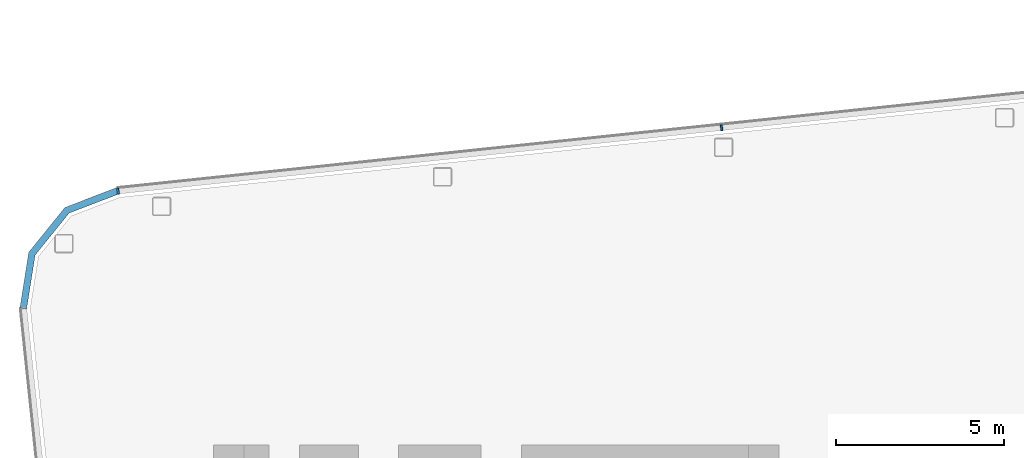
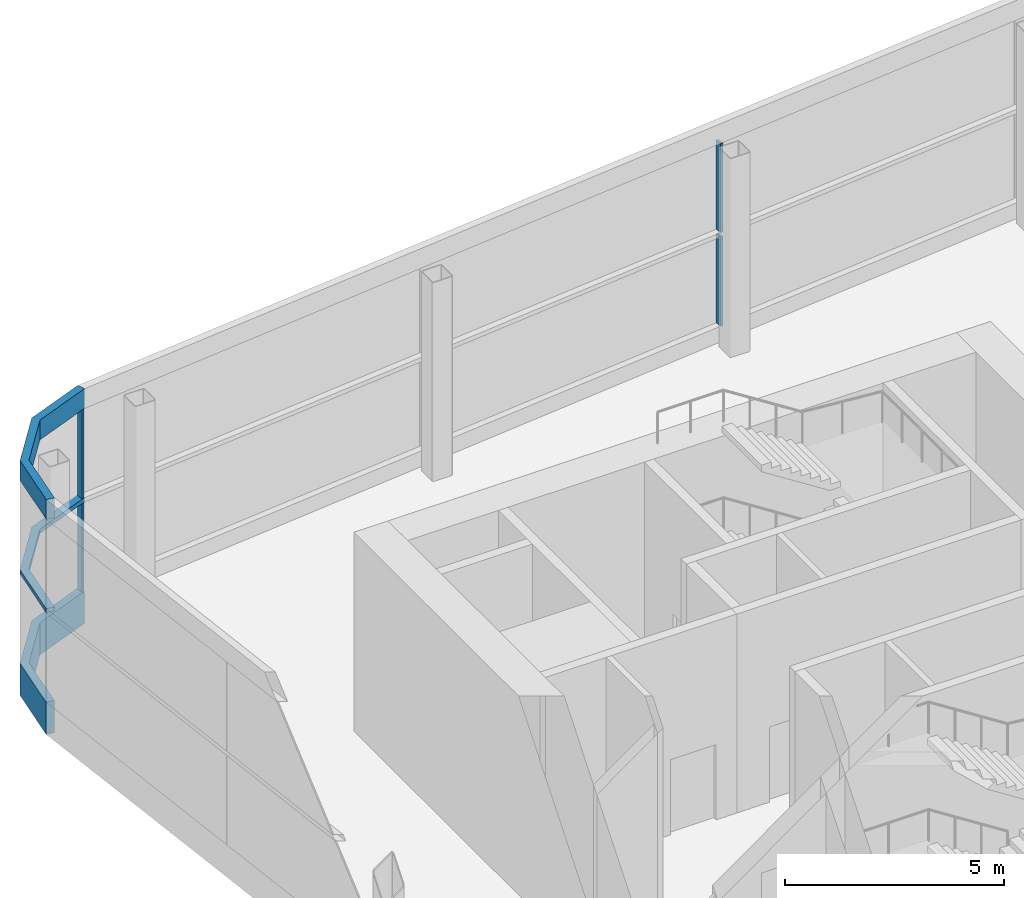
# One storey, part 8 of 35: 7 members, 2 elements without a shape of their own.
"""IFC4 building model written with IfcOpenShell, lengths in metres."""

from ifc_helpers import new_model, si_unit, direction, frame, origin, origin_2d, place, context, subcontext, project, spatial, polyline, rectangle, outline, extrude, material, layer, layer_set, material_profile, profile_set, type_object, element, aggregate, save


model = new_model("IFC4")

# Units and contexts
model_context = context("Model", 3, precision=1e-05, world=origin(), true_north=direction((0.0, 1.0)))
body_context = subcontext(model_context, "Body", "Model", "MODEL_VIEW")
ifc_project = project(units=[si_unit("LENGTHUNIT", "METRE"), si_unit("AREAUNIT", "SQUARE_METRE"), si_unit("VOLUMEUNIT", "CUBIC_METRE"), si_unit("PLANEANGLEUNIT", "RADIAN"), si_unit("MASSUNIT", "GRAM", prefix="KILO")], contexts=[model_context])

# Site, building, storey
site_placement = place(None, origin())
site = spatial("IfcSite", under=ifc_project, at=site_placement, CompositionType="ELEMENT")
building_placement = place(site_placement, origin())
building = spatial("IfcBuilding", under=site, at=building_placement, Name="Hakoniwa Tower and Hamabe Station Hall", CompositionType="ELEMENT")
storey_placement = place(building_placement, frame((0.0, 0.0, 270.60009765625)))
storey = spatial("IfcBuildingStorey", under=building, at=storey_placement, Name="L76", CompositionType="ELEMENT", Elevation=270.60009765625)

# Curtain wall, members
ifc_material_1 = material(Name="Dark low-e laminated glass", Category="glass")
ifc_layer = layer(ifc_material_1, 0.199951171875)
ifc_layer_set = layer_set([ifc_layer], Name="CW-1 UNITISED GUEST")
curtain_wall_type = type_object("IfcCurtainWallType", Name="CW-1 UNITISED GUEST", PredefinedType="NOTDEFINED", material=ifc_layer_set)
curtain_wall_1_placement = place(storey_placement, origin())
curtain_wall_1 = element("IfcCurtainWall", 1, at=curtain_wall_1_placement, inside=storey, type_object=curtain_wall_type, Name="CW-1 curtain wall", PredefinedType="NOTDEFINED")
ifc_material_2 = material(Name="Aluminium 6063-T5 black anodised", Category="aluminium")
ifc_material_profile_1 = material_profile(ifc_material_2, rectangle(XDim=0.199951171875, YDim=0.550048828125, at=origin_2d()), Name="CW HEAD BAND 550X200")
ifc_profile_set_1 = profile_set([ifc_material_profile_1], Name="Aluminium 6063-T5 black anodised")
member_type_1 = type_object("IfcMemberType", Name="CW HEAD BAND 550X200", PredefinedType="USERDEFINED", material=ifc_profile_set_1)
member_1_placement = place(storey_placement, frame((0.0, 0.0, 5.449951171875)))
member_1 = element("IfcMember", 2, at=member_1_placement, type_object=member_type_1, Name="CW-1 transom", ObjectType="TRANSOM", PredefinedType="USERDEFINED", context=body_context, shape_type="SweptSolid", body=[
    extrude(outline(polyline([(-36.45703125, 16.0634765625), (-38.0185546875, 15.464111328125), (-39.09716796875, 14.13232421875), (-39.35888671875, 12.47998046875), (-39.161376953125, 12.44873046875), (-38.907958984375, 14.048095703125), (-37.89697265625, 15.296630859375), (-36.38525390625, 15.876708984375), (-36.45703125, 16.0634765625)])), origin(), (0.0, 0.0, 1.0), 0.550048828125),
])
ifc_material_3 = material(Name="Aluminium 6063-T5 black anodised", Category="aluminium")
ifc_material_profile_2 = material_profile(ifc_material_3, rectangle(XDim=0.199951171875, YDim=0.1201171875, at=origin_2d()), Name="CW MID TRANSOM 120X200")
ifc_profile_set_2 = profile_set([ifc_material_profile_2], Name="Aluminium 6063-T5 black anodised")
member_type_2 = type_object("IfcMemberType", Name="CW MID TRANSOM 120X200", PredefinedType="USERDEFINED", material=ifc_profile_set_2)
member_2_placement = place(storey_placement, frame((0.0, 0.0, 2.83984375)))
member_2 = element("IfcMember", 3, at=member_2_placement, type_object=member_type_2, Name="CW-1 transom", ObjectType="TRANSOM", PredefinedType="USERDEFINED", context=body_context, shape_type="SweptSolid", body=[
    extrude(outline(polyline([(-36.45703125, 16.0634765625), (-38.0185546875, 15.464111328125), (-39.09716796875, 14.13232421875), (-39.35888671875, 12.47998046875), (-39.161376953125, 12.44873046875), (-38.907958984375, 14.048095703125), (-37.89697265625, 15.296630859375), (-36.38525390625, 15.876708984375), (-36.45703125, 16.0634765625)])), origin(), (0.0, 0.0, 1.0), 0.1201171875),
])
ifc_material_4 = material(Name="Aluminium 6063-T5 black anodised", Category="aluminium")
ifc_material_profile_3 = material_profile(ifc_material_4, rectangle(XDim=0.199951171875, YDim=0.89990234375, at=origin_2d()), Name="CW SLAB-EDGE BAND 900X200")
ifc_profile_set_3 = profile_set([ifc_material_profile_3], Name="Aluminium 6063-T5 black anodised")
member_type_3 = type_object("IfcMemberType", Name="CW SLAB-EDGE BAND 900X200", PredefinedType="USERDEFINED", material=ifc_profile_set_3)
member_3_placement = place(storey_placement, frame((0.0, 0.0, -0.550048828125)))
member_3 = element("IfcMember", 4, at=member_3_placement, type_object=member_type_3, Name="CW-1 transom", ObjectType="TRANSOM", PredefinedType="USERDEFINED", context=body_context, shape_type="SweptSolid", body=[
    extrude(outline(polyline([(-36.45703125, 16.0634765625), (-38.0185546875, 15.464111328125), (-39.09716796875, 14.13232421875), (-39.35888671875, 12.47998046875), (-39.161376953125, 12.44873046875), (-38.907958984375, 14.048095703125), (-37.89697265625, 15.296630859375), (-36.38525390625, 15.876708984375), (-36.45703125, 16.0634765625)])), origin(), (0.0, 0.0, 1.0), 0.89990234375),
])
aggregate(curtain_wall_1, [member_3, member_2, member_1])

curtain_wall_2_placement = place(storey_placement, origin())
curtain_wall_2 = element("IfcCurtainWall", 5, at=curtain_wall_2_placement, inside=storey, type_object=curtain_wall_type, Name="CW-1 curtain wall", PredefinedType="NOTDEFINED")
ifc_material_5 = material(Name="Aluminium 6063-T5 black anodised", Category="aluminium")
ifc_material_profile_4 = material_profile(ifc_material_5, rectangle(XDim=0.06005859375, YDim=0.179931640625, at=origin_2d()), Name="CW-1 MULLION 60X180")
ifc_profile_set_4 = profile_set([ifc_material_profile_4], Name="Aluminium 6063-T5 black anodised")
member_type_4 = type_object("IfcMemberType", Name="CW-1 MULLION 60X180", PredefinedType="MULLION", material=ifc_profile_set_4)
member_4_placement = place(storey_placement, frame((-18.50390625, 17.831787109375, 0.349853515625), z_axis=(0.0, 0.0, 1.0), x_axis=(-0.994521895272, -0.104528464188, 0.0)))
member_4 = element("IfcMember", 6, at=member_4_placement, type_object=member_type_4, Name="CW-1 mullion", PredefinedType="MULLION", context=body_context, shape_type="SweptSolid", body=[
    extrude(rectangle(XDim=0.06005859375, YDim=0.179931640625, at=origin_2d()), origin(), (0.0, 0.0, 1.0), 2.489990234375),
])
member_5_placement = place(storey_placement, frame((-18.50390625, 17.831787109375, 2.9599609375), z_axis=(0.0, 0.0, 1.0), x_axis=(-0.994521895272, -0.104528464188, 0.0)))
member_5 = element("IfcMember", 7, at=member_5_placement, type_object=member_type_4, Name="CW-1 mullion", PredefinedType="MULLION", context=body_context, shape_type="SweptSolid", body=[
    extrude(rectangle(XDim=0.06005859375, YDim=0.179931640625, at=origin_2d()), origin(), (0.0, 0.0, 1.0), 2.489990234375),
])
member_6_placement = place(storey_placement, frame((-36.444580078125, 15.946044921875, 0.349853515625), z_axis=(0.0, 0.0, 1.0), x_axis=(-0.994521895272, -0.104528464188, 0.0)))
member_6 = element("IfcMember", 8, at=member_6_placement, type_object=member_type_4, Name="CW-1 mullion", PredefinedType="MULLION", context=body_context, shape_type="SweptSolid", body=[
    extrude(rectangle(XDim=0.06005859375, YDim=0.179931640625, at=origin_2d()), origin(), (0.0, 0.0, 1.0), 2.489990234375),
])
member_7_placement = place(storey_placement, frame((-36.444580078125, 15.946044921875, 2.9599609375), z_axis=(0.0, 0.0, 1.0), x_axis=(-0.994521895272, -0.104528464188, 0.0)))
member_7 = element("IfcMember", 9, at=member_7_placement, type_object=member_type_4, Name="CW-1 mullion", PredefinedType="MULLION", context=body_context, shape_type="SweptSolid", body=[
    extrude(rectangle(XDim=0.06005859375, YDim=0.179931640625, at=origin_2d()), origin(), (0.0, 0.0, 1.0), 2.489990234375),
])
aggregate(curtain_wall_2, [member_4, member_5, member_6, member_7])

save(model, "model.ifc")
